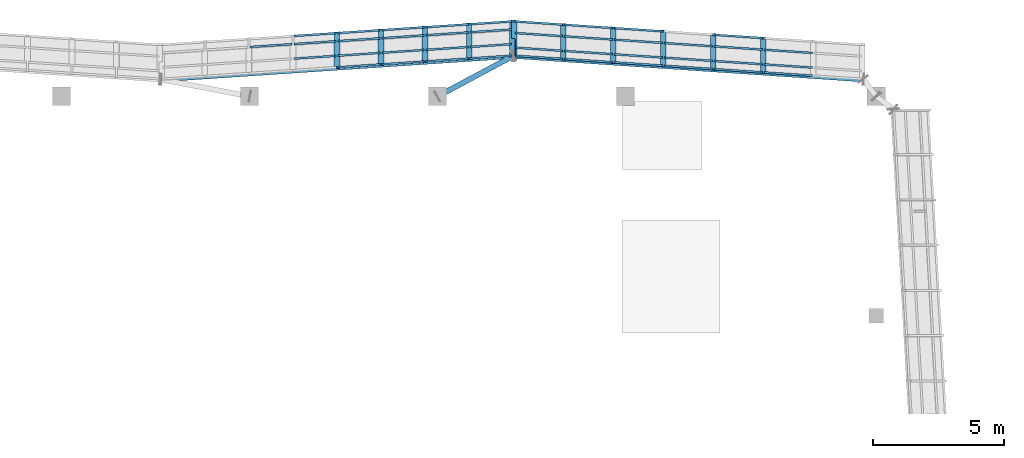
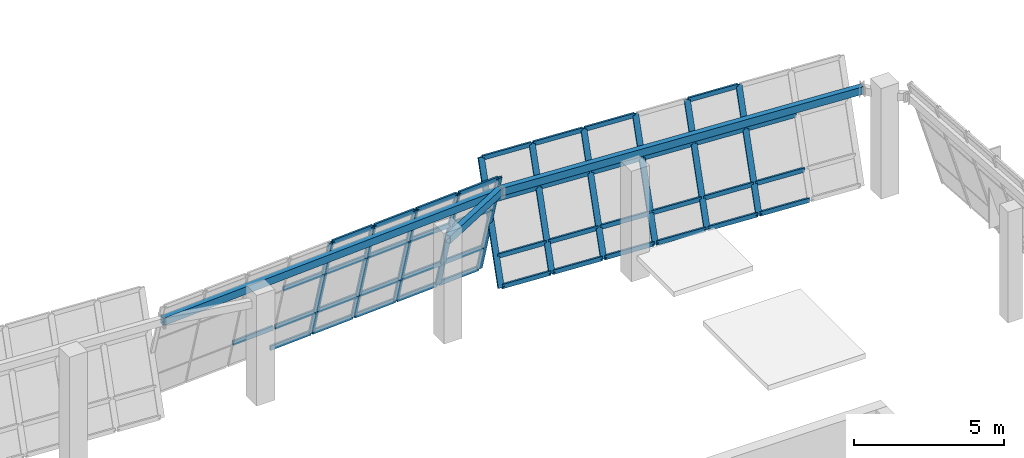
# One storey, part 32 of 67: 53 members, 3 beams, 2 elements without a shape of their own.
"""IFC4 building model written with IfcOpenShell, lengths in metres."""

from ifc_helpers import new_model, si_unit, direction, frame, origin, origin_2d, place, context, subcontext, project, spatial, hollow_rectangle, extrude, material, material_profile, profile_set, type_object, element, aggregate, save


model = new_model("IFC4")

# Units and contexts
model_context = context("Model", 3, precision=1e-05, world=origin(), true_north=direction((0.0, 1.0)))
body_context = subcontext(model_context, "Body", "Model", "MODEL_VIEW")
ifc_project = project(units=[si_unit("LENGTHUNIT", "METRE"), si_unit("AREAUNIT", "SQUARE_METRE"), si_unit("VOLUMEUNIT", "CUBIC_METRE"), si_unit("PLANEANGLEUNIT", "RADIAN"), si_unit("MASSUNIT", "GRAM", prefix="KILO")], contexts=[model_context])

# Site, building, storey
site_placement = place(None, origin())
site = spatial("IfcSite", under=ifc_project, at=site_placement, CompositionType="ELEMENT")
building_placement = place(site_placement, origin())
building = spatial("IfcBuilding", under=site, at=building_placement, Name="Pellamere Symphony Hall", CompositionType="ELEMENT")
storey_placement = place(building_placement, frame((0.0, 0.0, 19.5)))
storey = spatial("IfcBuildingStorey", under=building, at=storey_placement, Name="L04", CompositionType="ELEMENT", Elevation=19.5)

# Curtain wall, members
ifc_material_1 = material(Name="Thermally Broken Anodised Aluminium 6063-T6 Curtain Wall", Category="aluminium")
curtain_wall_type = type_object("IfcCurtainWallType", Name="Curtain Wall CW-01 (Tilted Faceted Crystal Low-Iron Curtain Wall)", PredefinedType="NOTDEFINED", material=ifc_material_1)
curtain_wall_1_placement = place(storey_placement, origin())
curtain_wall_1 = element("IfcCurtainWall", 1, at=curtain_wall_1_placement, inside=storey, type_object=curtain_wall_type, Name="Crystal Faceted Curtain Wall CW-CR10 (L04)", PredefinedType="NOTDEFINED")
ifc_material_2 = material(Name="Anodised Architectural Aluminium 6063-T6", Category="aluminium")
ifc_material_profile_1 = material_profile(ifc_material_2, hollow_rectangle(XDim=0.074951171875, YDim=0.219970703125, WallThickness=0.0048828125, at=origin_2d()), Name="ALU-M75X220X5")
ifc_profile_set_1 = profile_set([ifc_material_profile_1], Name="Anodised Architectural Aluminium 6063-T6")
member_type_1 = type_object("IfcMemberType", Name="Curtain Wall Mullion ML-01 ALU-M75X220X5", PredefinedType="MULLION", material=ifc_profile_set_1)
member_1_placement = place(storey_placement, frame((114.471435546875, 94.507080078125, 0.0), z_axis=(0.0, 0.284024567884, 0.95881700279), x_axis=(0.067013200006, 0.956661667464, -0.283386105922)))
member_1 = element("IfcMember", 2, at=member_1_placement, type_object=member_type_1, Name="CW1-024 crystal mullion 3", PredefinedType="MULLION", context=body_context, shape_type="SweptSolid", body=[
    extrude(hollow_rectangle(XDim=0.074951171875, YDim=0.219970703125, WallThickness=0.0048828125, at=origin_2d()), origin(), (0.0, 0.0, 1.0), 4.693359375),
])
member_2_placement = place(storey_placement, frame((112.55712890625, 94.6357421875, 0.0), z_axis=(0.0, 0.284024567884, 0.95881700279), x_axis=(0.067013200006, 0.956661667464, -0.283386105922)))
member_2 = element("IfcMember", 3, at=member_2_placement, type_object=member_type_1, Name="CW1-024 crystal mullion 4", PredefinedType="MULLION", context=body_context, shape_type="SweptSolid", body=[
    extrude(hollow_rectangle(XDim=0.074951171875, YDim=0.219970703125, WallThickness=0.0048828125, at=origin_2d()), origin(), (0.0, 0.0, 1.0), 4.693359375),
])
member_3_placement = place(storey_placement, frame((110.642822265625, 94.764404296875, 0.0), z_axis=(0.0, 0.283976744055, 0.958831168056), x_axis=(0.067013200006, 0.956675800888, -0.283338389597)))
member_3 = element("IfcMember", 4, at=member_3_placement, type_object=member_type_1, Name="CW1-024 crystal mullion 5", PredefinedType="MULLION", context=body_context, shape_type="SweptSolid", body=[
    extrude(hollow_rectangle(XDim=0.074951171875, YDim=0.219970703125, WallThickness=0.0048828125, at=origin_2d()), origin(), (0.0, 0.0, 1.0), 4.693115234375),
])
member_4_placement = place(storey_placement, frame((108.728515625, 94.892822265625, 0.0), z_axis=(0.0, 0.284024567884, 0.95881700279), x_axis=(0.067013200006, 0.956661667464, -0.283386105922)))
member_4 = element("IfcMember", 5, at=member_4_placement, type_object=member_type_1, Name="CW1-024 crystal mullion 6", PredefinedType="MULLION", context=body_context, shape_type="SweptSolid", body=[
    extrude(hollow_rectangle(XDim=0.074951171875, YDim=0.219970703125, WallThickness=0.0048828125, at=origin_2d()), origin(), (0.0, 0.0, 1.0), 4.693359375),
])
member_5_placement = place(storey_placement, frame((106.814208984375, 95.021484375, 0.0), z_axis=(0.0, 0.284024567884, 0.95881700279), x_axis=(0.067013200006, 0.956661667464, -0.283386105922)))
member_5 = element("IfcMember", 6, at=member_5_placement, type_object=member_type_1, Name="CW1-024 crystal mullion 7", PredefinedType="MULLION", context=body_context, shape_type="SweptSolid", body=[
    extrude(hollow_rectangle(XDim=0.074951171875, YDim=0.219970703125, WallThickness=0.0048828125, at=origin_2d()), origin(), (0.0, 0.0, 1.0), 4.693359375),
])
member_6_placement = place(storey_placement, frame((104.9375, 95.1474609375, 0.0), z_axis=(0.0, 0.284024567884, 0.95881700279), x_axis=(0.067013200006, 0.956661667464, -0.283386105922)))
member_6 = element("IfcMember", 7, at=member_6_placement, type_object=member_type_1, Name="CW1-024 crystal mullion 8", PredefinedType="MULLION", context=body_context, shape_type="SweptSolid", body=[
    extrude(hollow_rectangle(XDim=0.074951171875, YDim=0.219970703125, WallThickness=0.0048828125, at=origin_2d()), origin(), (0.0, 0.0, 1.0), 4.693359375),
])

curtain_wall_2_placement = place(storey_placement, origin())
curtain_wall_2 = element("IfcCurtainWall", 8, at=curtain_wall_2_placement, inside=storey, type_object=curtain_wall_type, Name="Crystal Faceted Curtain Wall CW-CR11 (L04)", PredefinedType="NOTDEFINED")
member_7_placement = place(storey_placement, frame((104.862548828125, 96.48046875, 0.0), z_axis=(0.0, -0.284024567884, 0.95881700279), x_axis=(0.066519010519, -0.956693374484, -0.283395498301)))
member_7 = element("IfcMember", 9, at=member_7_placement, type_object=member_type_1, Name="CW1-027 crystal mullion 1", PredefinedType="MULLION", context=body_context, shape_type="SweptSolid", body=[
    extrude(hollow_rectangle(XDim=0.074951171875, YDim=0.219970703125, WallThickness=0.0048828125, at=origin_2d()), origin(), (0.0, 0.0, 1.0), 4.693359375),
])
member_8_placement = place(storey_placement, frame((103.21240234375, 96.37060546875, 0.0), z_axis=(0.0, -0.284024567884, 0.95881700279), x_axis=(0.066519010519, -0.956693374484, -0.283395498301)))
member_8 = element("IfcMember", 10, at=member_8_placement, type_object=member_type_1, Name="CW1-027 crystal mullion 2", PredefinedType="MULLION", context=body_context, shape_type="SweptSolid", body=[
    extrude(hollow_rectangle(XDim=0.074951171875, YDim=0.219970703125, WallThickness=0.0048828125, at=origin_2d()), origin(), (0.0, 0.0, 1.0), 4.693359375),
])
member_9_placement = place(storey_placement, frame((101.52490234375, 96.258056640625, 0.0), z_axis=(0.0, -0.284024567884, 0.95881700279), x_axis=(0.066519010519, -0.956693374484, -0.283395498301)))
member_9 = element("IfcMember", 11, at=member_9_placement, type_object=member_type_1, Name="CW1-027 crystal mullion 3", PredefinedType="MULLION", context=body_context, shape_type="SweptSolid", body=[
    extrude(hollow_rectangle(XDim=0.074951171875, YDim=0.219970703125, WallThickness=0.0048828125, at=origin_2d()), origin(), (0.0, 0.0, 1.0), 4.693359375),
])
member_10_placement = place(storey_placement, frame((99.83740234375, 96.1455078125, 0.0), z_axis=(0.0, -0.284024567884, 0.95881700279), x_axis=(0.066519010519, -0.956693374484, -0.283395498301)))
member_10 = element("IfcMember", 12, at=member_10_placement, type_object=member_type_1, Name="CW1-027 crystal mullion 4", PredefinedType="MULLION", context=body_context, shape_type="SweptSolid", body=[
    extrude(hollow_rectangle(XDim=0.074951171875, YDim=0.219970703125, WallThickness=0.0048828125, at=origin_2d()), origin(), (0.0, 0.0, 1.0), 4.693359375),
])
member_11_placement = place(storey_placement, frame((98.14990234375, 96.032958984375, 0.0), z_axis=(0.0, -0.284024567884, 0.95881700279), x_axis=(0.066519010519, -0.956693374484, -0.283395498301)))
member_11 = element("IfcMember", 13, at=member_11_placement, type_object=member_type_1, Name="CW1-027 crystal mullion 5", PredefinedType="MULLION", context=body_context, shape_type="SweptSolid", body=[
    extrude(hollow_rectangle(XDim=0.074951171875, YDim=0.219970703125, WallThickness=0.0048828125, at=origin_2d()), origin(), (0.0, 0.0, 1.0), 4.693359375),
])

# Member
ifc_material_profile_2 = material_profile(ifc_material_2, hollow_rectangle(XDim=0.074951171875, YDim=0.179931640625, WallThickness=0.0048828125, at=origin_2d()), Name="ALU-T75X180X5")
ifc_profile_set_2 = profile_set([ifc_material_profile_2], Name="Anodised Architectural Aluminium 6063-T6")
member_type_2 = type_object("IfcMemberType", Name="Curtain Wall Transom TR-01 ALU-T75X180X5", PredefinedType="USERDEFINED", material=ifc_profile_set_2)
member_12_placement = place(storey_placement, frame((116.348388671875, 94.391845703125, 0.035888671875), z_axis=(-0.997752815695, 0.067002378864, 0.0), x_axis=(-0.067002378864, -0.997752815695, 0.0)))
member_12 = element("IfcMember", 14, at=member_12_placement, type_object=member_type_2, Name="CW1-024 crystal transom 2.1", ObjectType="TRANSOM", PredefinedType="USERDEFINED", context=body_context, shape_type="SweptSolid", body=[
    extrude(hollow_rectangle(XDim=0.074951171875, YDim=0.179931640625, WallThickness=0.0048828125, at=origin_2d()), origin(), (0.0, 0.0, 1.0), 1.84375),
])

member_13_placement = place(storey_placement, frame((116.348388671875, 94.700927734375, 1.080078125), z_axis=(-0.997752815695, 0.067002378864, 0.0), x_axis=(-0.067002378864, -0.997752815695, 0.0)))
member_13 = element("IfcMember", 15, at=member_13_placement, type_object=member_type_2, Name="CW1-024 crystal transom 2.2", ObjectType="TRANSOM", PredefinedType="USERDEFINED", context=body_context, shape_type="SweptSolid", body=[
    extrude(hollow_rectangle(XDim=0.074951171875, YDim=0.179931640625, WallThickness=0.0048828125, at=origin_2d()), origin(), (0.0, 0.0, 1.0), 1.84375),
])

member_14_placement = place(storey_placement, frame((116.348388671875, 95.260986328125, 2.969970703125), z_axis=(-0.997752815695, 0.067002378864, 0.0), x_axis=(-0.067002378864, -0.997752815695, 0.0)))
member_14 = element("IfcMember", 16, at=member_14_placement, type_object=member_type_2, Name="CW1-024 crystal transom 2.3", ObjectType="TRANSOM", PredefinedType="USERDEFINED", context=body_context, shape_type="SweptSolid", body=[
    extrude(hollow_rectangle(XDim=0.074951171875, YDim=0.179931640625, WallThickness=0.0048828125, at=origin_2d()), origin(), (0.0, 0.0, 1.0), 1.84375),
])

member_15_placement = place(storey_placement, frame((114.43408203125, 94.520263671875, 0.035888671875), z_axis=(-0.997752815695, 0.067002378864, 0.0), x_axis=(-0.067002378864, -0.997752815695, 0.0)))
member_15 = element("IfcMember", 17, at=member_15_placement, type_object=member_type_2, Name="CW1-024 crystal transom 3.1", ObjectType="TRANSOM", PredefinedType="USERDEFINED", context=body_context, shape_type="SweptSolid", body=[
    extrude(hollow_rectangle(XDim=0.074951171875, YDim=0.179931640625, WallThickness=0.0048828125, at=origin_2d()), origin(), (0.0, 0.0, 1.0), 1.84375),
])

member_16_placement = place(storey_placement, frame((114.43408203125, 94.82958984375, 1.080078125), z_axis=(-0.997752815695, 0.067002378864, 0.0), x_axis=(-0.067002378864, -0.997752815695, 0.0)))
member_16 = element("IfcMember", 18, at=member_16_placement, type_object=member_type_2, Name="CW1-024 crystal transom 3.2", ObjectType="TRANSOM", PredefinedType="USERDEFINED", context=body_context, shape_type="SweptSolid", body=[
    extrude(hollow_rectangle(XDim=0.074951171875, YDim=0.179931640625, WallThickness=0.0048828125, at=origin_2d()), origin(), (0.0, 0.0, 1.0), 1.84375),
])

member_17_placement = place(storey_placement, frame((114.43408203125, 95.389404296875, 2.969970703125), z_axis=(-0.997752815695, 0.067002378864, 0.0), x_axis=(-0.067002378864, -0.997752815695, 0.0)))
member_17 = element("IfcMember", 19, at=member_17_placement, type_object=member_type_2, Name="CW1-024 crystal transom 3.3", ObjectType="TRANSOM", PredefinedType="USERDEFINED", context=body_context, shape_type="SweptSolid", body=[
    extrude(hollow_rectangle(XDim=0.074951171875, YDim=0.179931640625, WallThickness=0.0048828125, at=origin_2d()), origin(), (0.0, 0.0, 1.0), 1.84375),
])

member_18_placement = place(storey_placement, frame((114.43408203125, 95.83203125, 4.464111328125), z_axis=(-0.997752815695, 0.067002378864, 0.0), x_axis=(-0.067002378864, -0.997752815695, 0.0)))
member_18 = element("IfcMember", 20, at=member_18_placement, type_object=member_type_2, Name="CW1-024 crystal transom 3.4", ObjectType="TRANSOM", PredefinedType="USERDEFINED", context=body_context, shape_type="SweptSolid", body=[
    extrude(hollow_rectangle(XDim=0.074951171875, YDim=0.179931640625, WallThickness=0.0048828125, at=origin_2d()), origin(), (0.0, 0.0, 1.0), 1.84375),
])

member_19_placement = place(storey_placement, frame((112.519775390625, 94.64892578125, 0.035888671875), z_axis=(-0.997752815695, 0.067002378864, 0.0), x_axis=(-0.067002378864, -0.997752815695, 0.0)))
member_19 = element("IfcMember", 21, at=member_19_placement, type_object=member_type_2, Name="CW1-024 crystal transom 4.1", ObjectType="TRANSOM", PredefinedType="USERDEFINED", context=body_context, shape_type="SweptSolid", body=[
    extrude(hollow_rectangle(XDim=0.074951171875, YDim=0.179931640625, WallThickness=0.0048828125, at=origin_2d()), origin(), (0.0, 0.0, 1.0), 1.84375),
])

member_20_placement = place(storey_placement, frame((112.519775390625, 94.958251953125, 1.080078125), z_axis=(-0.997752815695, 0.067002378864, 0.0), x_axis=(-0.067002378864, -0.997752815695, 0.0)))
member_20 = element("IfcMember", 22, at=member_20_placement, type_object=member_type_2, Name="CW1-024 crystal transom 4.2", ObjectType="TRANSOM", PredefinedType="USERDEFINED", context=body_context, shape_type="SweptSolid", body=[
    extrude(hollow_rectangle(XDim=0.074951171875, YDim=0.179931640625, WallThickness=0.0048828125, at=origin_2d()), origin(), (0.0, 0.0, 1.0), 1.84375),
])

member_21_placement = place(storey_placement, frame((112.519775390625, 95.51806640625, 2.969970703125), z_axis=(-0.997752815695, 0.067002378864, 0.0), x_axis=(-0.067002378864, -0.997752815695, 0.0)))
member_21 = element("IfcMember", 23, at=member_21_placement, type_object=member_type_2, Name="CW1-024 crystal transom 4.3", ObjectType="TRANSOM", PredefinedType="USERDEFINED", context=body_context, shape_type="SweptSolid", body=[
    extrude(hollow_rectangle(XDim=0.074951171875, YDim=0.179931640625, WallThickness=0.0048828125, at=origin_2d()), origin(), (0.0, 0.0, 1.0), 1.84375),
])

member_22_placement = place(storey_placement, frame((110.60546875, 94.77734375, 0.035888671875), z_axis=(-0.997752815695, 0.067002378864, 0.0), x_axis=(-0.067002378864, -0.997752815695, 0.0)))
member_22 = element("IfcMember", 24, at=member_22_placement, type_object=member_type_2, Name="CW1-024 crystal transom 5.1", ObjectType="TRANSOM", PredefinedType="USERDEFINED", context=body_context, shape_type="SweptSolid", body=[
    extrude(hollow_rectangle(XDim=0.074951171875, YDim=0.179931640625, WallThickness=0.0048828125, at=origin_2d()), origin(), (0.0, 0.0, 1.0), 1.84375),
])

member_23_placement = place(storey_placement, frame((110.60546875, 95.086669921875, 1.080078125), z_axis=(-0.997752815695, 0.067002378864, 0.0), x_axis=(-0.067002378864, -0.997752815695, 0.0)))
member_23 = element("IfcMember", 25, at=member_23_placement, type_object=member_type_2, Name="CW1-024 crystal transom 5.2", ObjectType="TRANSOM", PredefinedType="USERDEFINED", context=body_context, shape_type="SweptSolid", body=[
    extrude(hollow_rectangle(XDim=0.074951171875, YDim=0.179931640625, WallThickness=0.0048828125, at=origin_2d()), origin(), (0.0, 0.0, 1.0), 1.84375),
])

member_24_placement = place(storey_placement, frame((110.60546875, 95.646484375, 2.969970703125), z_axis=(-0.997752815695, 0.067002378864, 0.0), x_axis=(-0.067002378864, -0.997752815695, 0.0)))
member_24 = element("IfcMember", 26, at=member_24_placement, type_object=member_type_2, Name="CW1-024 crystal transom 5.3", ObjectType="TRANSOM", PredefinedType="USERDEFINED", context=body_context, shape_type="SweptSolid", body=[
    extrude(hollow_rectangle(XDim=0.074951171875, YDim=0.179931640625, WallThickness=0.0048828125, at=origin_2d()), origin(), (0.0, 0.0, 1.0), 1.84375),
])

member_25_placement = place(storey_placement, frame((110.60546875, 96.089111328125, 4.464111328125), z_axis=(-0.997752815695, 0.067002378864, 0.0), x_axis=(-0.067002378864, -0.997752815695, 0.0)))
member_25 = element("IfcMember", 27, at=member_25_placement, type_object=member_type_2, Name="CW1-024 crystal transom 5.4", ObjectType="TRANSOM", PredefinedType="USERDEFINED", context=body_context, shape_type="SweptSolid", body=[
    extrude(hollow_rectangle(XDim=0.074951171875, YDim=0.179931640625, WallThickness=0.0048828125, at=origin_2d()), origin(), (0.0, 0.0, 1.0), 1.84375),
])

member_26_placement = place(storey_placement, frame((108.691162109375, 94.906005859375, 0.035888671875), z_axis=(-0.99775222112, 0.067011232265, 0.0), x_axis=(-0.067011232265, -0.99775222112, 0.0)))
member_26 = element("IfcMember", 28, at=member_26_placement, type_object=member_type_2, Name="CW1-024 crystal transom 6.1", ObjectType="TRANSOM", PredefinedType="USERDEFINED", context=body_context, shape_type="SweptSolid", body=[
    extrude(hollow_rectangle(XDim=0.074951171875, YDim=0.179931640625, WallThickness=0.0048828125, at=origin_2d()), origin(), (0.0, 0.0, 1.0), 1.843505859375),
])

member_27_placement = place(storey_placement, frame((108.691162109375, 95.21533203125, 1.080078125), z_axis=(-0.99775222112, 0.067011232265, 0.0), x_axis=(-0.067011232265, -0.99775222112, 0.0)))
member_27 = element("IfcMember", 29, at=member_27_placement, type_object=member_type_2, Name="CW1-024 crystal transom 6.2", ObjectType="TRANSOM", PredefinedType="USERDEFINED", context=body_context, shape_type="SweptSolid", body=[
    extrude(hollow_rectangle(XDim=0.074951171875, YDim=0.179931640625, WallThickness=0.0048828125, at=origin_2d()), origin(), (0.0, 0.0, 1.0), 1.843505859375),
])

member_28_placement = place(storey_placement, frame((108.691162109375, 95.775146484375, 2.969970703125), z_axis=(-0.99775222112, 0.067011232265, 0.0), x_axis=(-0.067011232265, -0.99775222112, 0.0)))
member_28 = element("IfcMember", 30, at=member_28_placement, type_object=member_type_2, Name="CW1-024 crystal transom 6.3", ObjectType="TRANSOM", PredefinedType="USERDEFINED", context=body_context, shape_type="SweptSolid", body=[
    extrude(hollow_rectangle(XDim=0.074951171875, YDim=0.179931640625, WallThickness=0.0048828125, at=origin_2d()), origin(), (0.0, 0.0, 1.0), 1.843505859375),
])

member_29_placement = place(storey_placement, frame((108.691162109375, 96.2177734375, 4.464111328125), z_axis=(-0.99775222112, 0.067011232265, 0.0), x_axis=(-0.067011232265, -0.99775222112, 0.0)))
member_29 = element("IfcMember", 31, at=member_29_placement, type_object=member_type_2, Name="CW1-024 crystal transom 6.4", ObjectType="TRANSOM", PredefinedType="USERDEFINED", context=body_context, shape_type="SweptSolid", body=[
    extrude(hollow_rectangle(XDim=0.074951171875, YDim=0.179931640625, WallThickness=0.0048828125, at=origin_2d()), origin(), (0.0, 0.0, 1.0), 1.843505859375),
])

member_30_placement = place(storey_placement, frame((106.77685546875, 95.03466796875, 0.035888671875), z_axis=(-0.997758761658, 0.066913776862, 0.0), x_axis=(-0.066913776862, -0.997758761658, 0.0)))
member_30 = element("IfcMember", 32, at=member_30_placement, type_object=member_type_2, Name="CW1-024 crystal transom 7.1", ObjectType="TRANSOM", PredefinedType="USERDEFINED", context=body_context, shape_type="SweptSolid", body=[
    extrude(hollow_rectangle(XDim=0.074951171875, YDim=0.179931640625, WallThickness=0.0048828125, at=origin_2d()), origin(), (0.0, 0.0, 1.0), 1.80615234375),
])

member_31_placement = place(storey_placement, frame((106.77685546875, 95.34375, 1.080078125), z_axis=(-0.997749727577, 0.067048349123, 0.0), x_axis=(-0.067048349123, -0.997749727577, 0.0)))
member_31 = element("IfcMember", 33, at=member_31_placement, type_object=member_type_2, Name="CW1-024 crystal transom 7.2", ObjectType="TRANSOM", PredefinedType="USERDEFINED", context=body_context, shape_type="SweptSolid", body=[
    extrude(hollow_rectangle(XDim=0.074951171875, YDim=0.179931640625, WallThickness=0.0048828125, at=origin_2d()), origin(), (0.0, 0.0, 1.0), 1.80615234375),
])

member_32_placement = place(storey_placement, frame((106.77685546875, 95.90380859375, 2.969970703125), z_axis=(-0.997758761658, 0.066913776862, 0.0), x_axis=(-0.066913776862, -0.997758761658, 0.0)))
member_32 = element("IfcMember", 34, at=member_32_placement, type_object=member_type_2, Name="CW1-024 crystal transom 7.3", ObjectType="TRANSOM", PredefinedType="USERDEFINED", context=body_context, shape_type="SweptSolid", body=[
    extrude(hollow_rectangle(XDim=0.074951171875, YDim=0.179931640625, WallThickness=0.0048828125, at=origin_2d()), origin(), (0.0, 0.0, 1.0), 1.80615234375),
])

member_33_placement = place(storey_placement, frame((106.77685546875, 96.34619140625, 4.464111328125), z_axis=(-0.997749727577, 0.067048349123, 0.0), x_axis=(-0.067048349123, -0.997749727577, 0.0)))
member_33 = element("IfcMember", 35, at=member_33_placement, type_object=member_type_2, Name="CW1-024 crystal transom 7.4", ObjectType="TRANSOM", PredefinedType="USERDEFINED", context=body_context, shape_type="SweptSolid", body=[
    extrude(hollow_rectangle(XDim=0.074951171875, YDim=0.179931640625, WallThickness=0.0048828125, at=origin_2d()), origin(), (0.0, 0.0, 1.0), 1.80615234375),
])

aggregate(curtain_wall_1, [member_1, member_2, member_3, member_4, member_5, member_6, member_12, member_13, member_14, member_15, member_16, member_17, member_18, member_19, member_20, member_21, member_22, member_23, member_24, member_25, member_26, member_27, member_28, member_29, member_30, member_31, member_32, member_33])

member_34_placement = place(storey_placement, frame((104.8251953125, 96.46728515625, 0.035888671875), z_axis=(-0.997786526209, -0.066498482063, 0.0), x_axis=(0.066498482063, -0.997786526209, 0.0)))
member_34 = element("IfcMember", 36, at=member_34_placement, type_object=member_type_2, Name="CW1-027 crystal transom 1.1", ObjectType="TRANSOM", PredefinedType="USERDEFINED", context=body_context, shape_type="SweptSolid", body=[
    extrude(hollow_rectangle(XDim=0.074951171875, YDim=0.179931640625, WallThickness=0.0048828125, at=origin_2d()), origin(), (0.0, 0.0, 1.0), 1.57861328125),
])

member_35_placement = place(storey_placement, frame((104.8251953125, 96.158203125, 1.080078125), z_axis=(-0.997776253366, -0.06665244346, 0.0), x_axis=(0.06665244346, -0.997776253366, 0.0)))
member_35 = element("IfcMember", 37, at=member_35_placement, type_object=member_type_2, Name="CW1-027 crystal transom 1.2", ObjectType="TRANSOM", PredefinedType="USERDEFINED", context=body_context, shape_type="SweptSolid", body=[
    extrude(hollow_rectangle(XDim=0.074951171875, YDim=0.179931640625, WallThickness=0.0048828125, at=origin_2d()), origin(), (0.0, 0.0, 1.0), 1.57861328125),
])

member_36_placement = place(storey_placement, frame((104.8251953125, 95.59814453125, 2.969970703125), z_axis=(-0.997786526209, -0.066498482063, 0.0), x_axis=(0.066498482063, -0.997786526209, 0.0)))
member_36 = element("IfcMember", 38, at=member_36_placement, type_object=member_type_2, Name="CW1-027 crystal transom 1.3", ObjectType="TRANSOM", PredefinedType="USERDEFINED", context=body_context, shape_type="SweptSolid", body=[
    extrude(hollow_rectangle(XDim=0.074951171875, YDim=0.179931640625, WallThickness=0.0048828125, at=origin_2d()), origin(), (0.0, 0.0, 1.0), 1.57861328125),
])

member_37_placement = place(storey_placement, frame((104.8251953125, 95.15576171875, 4.464111328125), z_axis=(-0.997776253366, -0.06665244346, 0.0), x_axis=(0.06665244346, -0.997776253366, 0.0)))
member_37 = element("IfcMember", 39, at=member_37_placement, type_object=member_type_2, Name="CW1-027 crystal transom 1.4", ObjectType="TRANSOM", PredefinedType="USERDEFINED", context=body_context, shape_type="SweptSolid", body=[
    extrude(hollow_rectangle(XDim=0.074951171875, YDim=0.179931640625, WallThickness=0.0048828125, at=origin_2d()), origin(), (0.0, 0.0, 1.0), 1.57861328125),
])

member_38_placement = place(storey_placement, frame((103.175048828125, 96.357421875, 0.035888671875), z_axis=(-0.997778468566, -0.06661927398, 0.0), x_axis=(0.06661927398, -0.997778468566, 0.0)))
member_38 = element("IfcMember", 40, at=member_38_placement, type_object=member_type_2, Name="CW1-027 crystal transom 2.1", ObjectType="TRANSOM", PredefinedType="USERDEFINED", context=body_context, shape_type="SweptSolid", body=[
    extrude(hollow_rectangle(XDim=0.074951171875, YDim=0.179931640625, WallThickness=0.0048828125, at=origin_2d()), origin(), (0.0, 0.0, 1.0), 1.6162109375),
])

member_39_placement = place(storey_placement, frame((103.175048828125, 96.048095703125, 1.080078125), z_axis=(-0.997788498757, -0.06646887804, 0.0), x_axis=(0.06646887804, -0.997788498757, 0.0)))
member_39 = element("IfcMember", 41, at=member_39_placement, type_object=member_type_2, Name="CW1-027 crystal transom 2.2", ObjectType="TRANSOM", PredefinedType="USERDEFINED", context=body_context, shape_type="SweptSolid", body=[
    extrude(hollow_rectangle(XDim=0.074951171875, YDim=0.179931640625, WallThickness=0.0048828125, at=origin_2d()), origin(), (0.0, 0.0, 1.0), 1.6162109375),
])

member_40_placement = place(storey_placement, frame((103.175048828125, 95.48828125, 2.969970703125), z_axis=(-0.997778468566, -0.06661927398, 0.0), x_axis=(0.06661927398, -0.997778468566, 0.0)))
member_40 = element("IfcMember", 42, at=member_40_placement, type_object=member_type_2, Name="CW1-027 crystal transom 2.3", ObjectType="TRANSOM", PredefinedType="USERDEFINED", context=body_context, shape_type="SweptSolid", body=[
    extrude(hollow_rectangle(XDim=0.074951171875, YDim=0.179931640625, WallThickness=0.0048828125, at=origin_2d()), origin(), (0.0, 0.0, 1.0), 1.6162109375),
])

member_41_placement = place(storey_placement, frame((103.175048828125, 95.045654296875, 4.464111328125), z_axis=(-0.997788498757, -0.06646887804, 0.0), x_axis=(0.06646887804, -0.997788498757, 0.0)))
member_41 = element("IfcMember", 43, at=member_41_placement, type_object=member_type_2, Name="CW1-027 crystal transom 2.4", ObjectType="TRANSOM", PredefinedType="USERDEFINED", context=body_context, shape_type="SweptSolid", body=[
    extrude(hollow_rectangle(XDim=0.074951171875, YDim=0.179931640625, WallThickness=0.0048828125, at=origin_2d()), origin(), (0.0, 0.0, 1.0), 1.6162109375),
])

member_42_placement = place(storey_placement, frame((101.487548828125, 96.244873046875, 0.035888671875), z_axis=(-0.997788498757, -0.06646887804, 0.0), x_axis=(0.06646887804, -0.997788498757, 0.0)))
member_42 = element("IfcMember", 44, at=member_42_placement, type_object=member_type_2, Name="CW1-027 crystal transom 3.1", ObjectType="TRANSOM", PredefinedType="USERDEFINED", context=body_context, shape_type="SweptSolid", body=[
    extrude(hollow_rectangle(XDim=0.074951171875, YDim=0.179931640625, WallThickness=0.0048828125, at=origin_2d()), origin(), (0.0, 0.0, 1.0), 1.6162109375),
])

member_43_placement = place(storey_placement, frame((101.487548828125, 95.935546875, 1.080078125), z_axis=(-0.997788498757, -0.06646887804, 0.0), x_axis=(0.06646887804, -0.997788498757, 0.0)))
member_43 = element("IfcMember", 45, at=member_43_placement, type_object=member_type_2, Name="CW1-027 crystal transom 3.2", ObjectType="TRANSOM", PredefinedType="USERDEFINED", context=body_context, shape_type="SweptSolid", body=[
    extrude(hollow_rectangle(XDim=0.074951171875, YDim=0.179931640625, WallThickness=0.0048828125, at=origin_2d()), origin(), (0.0, 0.0, 1.0), 1.6162109375),
])

member_44_placement = place(storey_placement, frame((101.487548828125, 95.375732421875, 2.969970703125), z_axis=(-0.997788498757, -0.06646887804, 0.0), x_axis=(0.06646887804, -0.997788498757, 0.0)))
member_44 = element("IfcMember", 46, at=member_44_placement, type_object=member_type_2, Name="CW1-027 crystal transom 3.3", ObjectType="TRANSOM", PredefinedType="USERDEFINED", context=body_context, shape_type="SweptSolid", body=[
    extrude(hollow_rectangle(XDim=0.074951171875, YDim=0.179931640625, WallThickness=0.0048828125, at=origin_2d()), origin(), (0.0, 0.0, 1.0), 1.6162109375),
])

member_45_placement = place(storey_placement, frame((101.487548828125, 94.93310546875, 4.464111328125), z_axis=(-0.997788498757, -0.06646887804, 0.0), x_axis=(0.06646887804, -0.997788498757, 0.0)))
member_45 = element("IfcMember", 47, at=member_45_placement, type_object=member_type_2, Name="CW1-027 crystal transom 3.4", ObjectType="TRANSOM", PredefinedType="USERDEFINED", context=body_context, shape_type="SweptSolid", body=[
    extrude(hollow_rectangle(XDim=0.074951171875, YDim=0.179931640625, WallThickness=0.0048828125, at=origin_2d()), origin(), (0.0, 0.0, 1.0), 1.6162109375),
])

member_46_placement = place(storey_placement, frame((99.800048828125, 96.13232421875, 0.035888671875), z_axis=(-0.997788498757, -0.06646887804, 0.0), x_axis=(0.06646887804, -0.997788498757, 0.0)))
member_46 = element("IfcMember", 48, at=member_46_placement, type_object=member_type_2, Name="CW1-027 crystal transom 4.1", ObjectType="TRANSOM", PredefinedType="USERDEFINED", context=body_context, shape_type="SweptSolid", body=[
    extrude(hollow_rectangle(XDim=0.074951171875, YDim=0.179931640625, WallThickness=0.0048828125, at=origin_2d()), origin(), (0.0, 0.0, 1.0), 1.6162109375),
])

member_47_placement = place(storey_placement, frame((99.800048828125, 95.822998046875, 1.080078125), z_axis=(-0.997788498757, -0.06646887804, 0.0), x_axis=(0.06646887804, -0.997788498757, 0.0)))
member_47 = element("IfcMember", 49, at=member_47_placement, type_object=member_type_2, Name="CW1-027 crystal transom 4.2", ObjectType="TRANSOM", PredefinedType="USERDEFINED", context=body_context, shape_type="SweptSolid", body=[
    extrude(hollow_rectangle(XDim=0.074951171875, YDim=0.179931640625, WallThickness=0.0048828125, at=origin_2d()), origin(), (0.0, 0.0, 1.0), 1.6162109375),
])

member_48_placement = place(storey_placement, frame((99.800048828125, 95.26318359375, 2.969970703125), z_axis=(-0.997788498757, -0.06646887804, 0.0), x_axis=(0.06646887804, -0.997788498757, 0.0)))
member_48 = element("IfcMember", 50, at=member_48_placement, type_object=member_type_2, Name="CW1-027 crystal transom 4.3", ObjectType="TRANSOM", PredefinedType="USERDEFINED", context=body_context, shape_type="SweptSolid", body=[
    extrude(hollow_rectangle(XDim=0.074951171875, YDim=0.179931640625, WallThickness=0.0048828125, at=origin_2d()), origin(), (0.0, 0.0, 1.0), 1.6162109375),
])

member_49_placement = place(storey_placement, frame((99.800048828125, 94.820556640625, 4.464111328125), z_axis=(-0.997788498757, -0.06646887804, 0.0), x_axis=(0.06646887804, -0.997788498757, 0.0)))
member_49 = element("IfcMember", 51, at=member_49_placement, type_object=member_type_2, Name="CW1-027 crystal transom 4.4", ObjectType="TRANSOM", PredefinedType="USERDEFINED", context=body_context, shape_type="SweptSolid", body=[
    extrude(hollow_rectangle(XDim=0.074951171875, YDim=0.179931640625, WallThickness=0.0048828125, at=origin_2d()), origin(), (0.0, 0.0, 1.0), 1.6162109375),
])

member_50_placement = place(storey_placement, frame((98.112548828125, 96.019775390625, 0.035888671875), z_axis=(-0.997788498757, -0.06646887804, 0.0), x_axis=(0.06646887804, -0.997788498757, 0.0)))
member_50 = element("IfcMember", 52, at=member_50_placement, type_object=member_type_2, Name="CW1-027 crystal transom 5.1", ObjectType="TRANSOM", PredefinedType="USERDEFINED", context=body_context, shape_type="SweptSolid", body=[
    extrude(hollow_rectangle(XDim=0.074951171875, YDim=0.179931640625, WallThickness=0.0048828125, at=origin_2d()), origin(), (0.0, 0.0, 1.0), 1.6162109375),
])

member_51_placement = place(storey_placement, frame((98.112548828125, 95.710693359375, 1.080078125), z_axis=(-0.997778468566, -0.06661927398, 0.0), x_axis=(0.06661927398, -0.997778468566, 0.0)))
member_51 = element("IfcMember", 53, at=member_51_placement, type_object=member_type_2, Name="CW1-027 crystal transom 5.2", ObjectType="TRANSOM", PredefinedType="USERDEFINED", context=body_context, shape_type="SweptSolid", body=[
    extrude(hollow_rectangle(XDim=0.074951171875, YDim=0.179931640625, WallThickness=0.0048828125, at=origin_2d()), origin(), (0.0, 0.0, 1.0), 1.6162109375),
])

member_52_placement = place(storey_placement, frame((98.112548828125, 95.150634765625, 2.969970703125), z_axis=(-0.997788498757, -0.06646887804, 0.0), x_axis=(0.06646887804, -0.997788498757, 0.0)))
member_52 = element("IfcMember", 54, at=member_52_placement, type_object=member_type_2, Name="CW1-027 crystal transom 5.3", ObjectType="TRANSOM", PredefinedType="USERDEFINED", context=body_context, shape_type="SweptSolid", body=[
    extrude(hollow_rectangle(XDim=0.074951171875, YDim=0.179931640625, WallThickness=0.0048828125, at=origin_2d()), origin(), (0.0, 0.0, 1.0), 1.6162109375),
])

member_53_placement = place(storey_placement, frame((96.425048828125, 95.59814453125, 1.080078125), z_axis=(-0.997778468566, -0.06661927398, 0.0), x_axis=(0.06661927398, -0.997778468566, 0.0)))
member_53 = element("IfcMember", 55, at=member_53_placement, type_object=member_type_2, Name="CW1-027 crystal transom 6.2", ObjectType="TRANSOM", PredefinedType="USERDEFINED", context=body_context, shape_type="SweptSolid", body=[
    extrude(hollow_rectangle(XDim=0.074951171875, YDim=0.179931640625, WallThickness=0.0048828125, at=origin_2d()), origin(), (0.0, 0.0, 1.0), 1.6162109375),
])

aggregate(curtain_wall_2, [member_7, member_8, member_9, member_10, member_11, member_34, member_35, member_36, member_37, member_38, member_39, member_40, member_41, member_42, member_43, member_44, member_45, member_46, member_47, member_48, member_49, member_50, member_51, member_52, member_53])

# Beams
ifc_material_3 = material(Name="Steel CSA G40.21 350W", Category="steel")
ifc_material_profile_3 = material_profile(ifc_material_3, hollow_rectangle(XDim=0.203125, YDim=0.3046875, WallThickness=0.0126953125, at=origin_2d()), Name="HSS305X203X13")
ifc_profile_set_3 = profile_set([ifc_material_profile_3], Name="Steel CSA G40.21 350W")
beam_type = type_object("IfcBeamType", Name="Steel Spandrel SB-26 HSS305X203X13", PredefinedType="SPANDREL", material=ifc_profile_set_3)
beam_1_placement = place(storey_placement, frame((118.300048828125, 94.25, 3.93994140625), z_axis=(-0.997752624089, 0.067005232066, 0.0), x_axis=(-0.067005232066, -0.997752624089, 0.0)))
element("IfcBeam", 56, at=beam_1_placement, inside=storey, type_object=beam_type, Name="Crystal Perimeter Ring Beam CW-CR10 (L04)", PredefinedType="SPANDREL", context=body_context, shape_type="SweptSolid", body=[
    extrude(hollow_rectangle(XDim=0.203125, YDim=0.3046875, WallThickness=0.0126953125, at=origin_2d()), origin(), (0.0, 0.0, 1.0), 13.430419921875),
])
beam_2_placement = place(storey_placement, frame((102.0, 93.60009765625, 3.93994140625), z_axis=(0.881949762875, 0.471343415956, 0.0), x_axis=(-0.471343415956, 0.881949762875, 0.0)))
element("IfcBeam", 57, at=beam_2_placement, inside=storey, type_object=beam_type, Name="Crystal Ring Outrigger Bracket 056 (L04)", PredefinedType="SPANDREL", context=body_context, shape_type="SweptSolid", body=[
    extrude(hollow_rectangle(XDim=0.203125, YDim=0.3046875, WallThickness=0.0126953125, at=origin_2d()), origin(), (0.0, 0.0, 1.0), 3.2880859375),
])
beam_3_placement = place(storey_placement, frame((104.89990234375, 95.14990234375, 3.93994140625), z_axis=(-0.997785636887, -0.066511824681, 0.0), x_axis=(0.066511824681, -0.997785636887, 0.0)))
element("IfcBeam", 58, at=beam_3_placement, inside=storey, type_object=beam_type, Name="Crystal Perimeter Ring Beam CW-CR11 (L04)", PredefinedType="SPANDREL", context=body_context, shape_type="SweptSolid", body=[
    extrude(hollow_rectangle(XDim=0.203125, YDim=0.3046875, WallThickness=0.0126953125, at=origin_2d()), origin(), (0.0, 0.0, 1.0), 13.530029296875),
])

save(model, "model.ifc")
